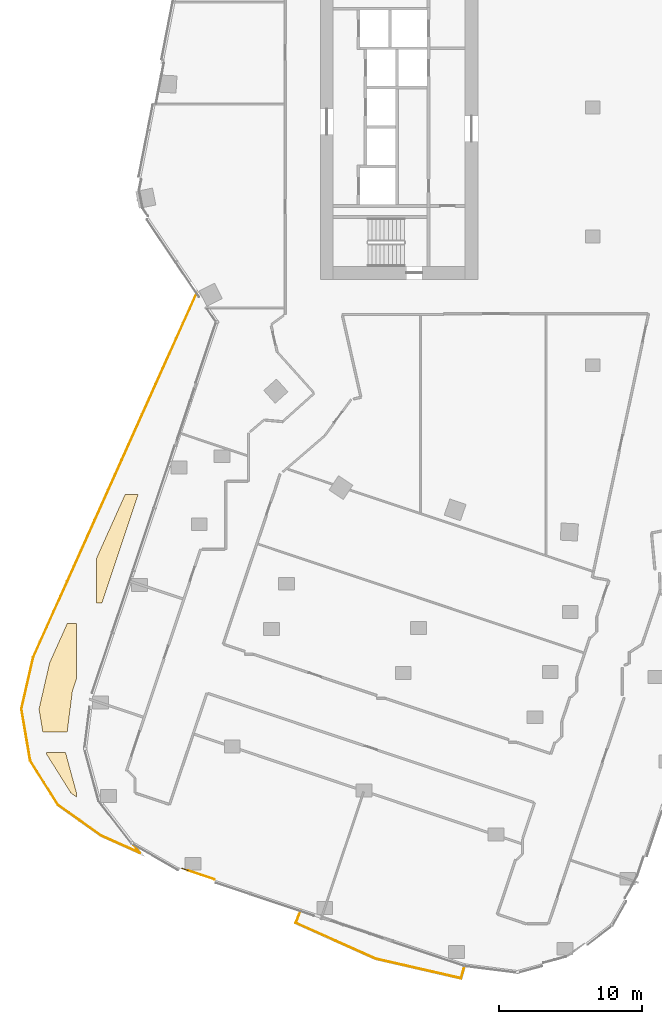
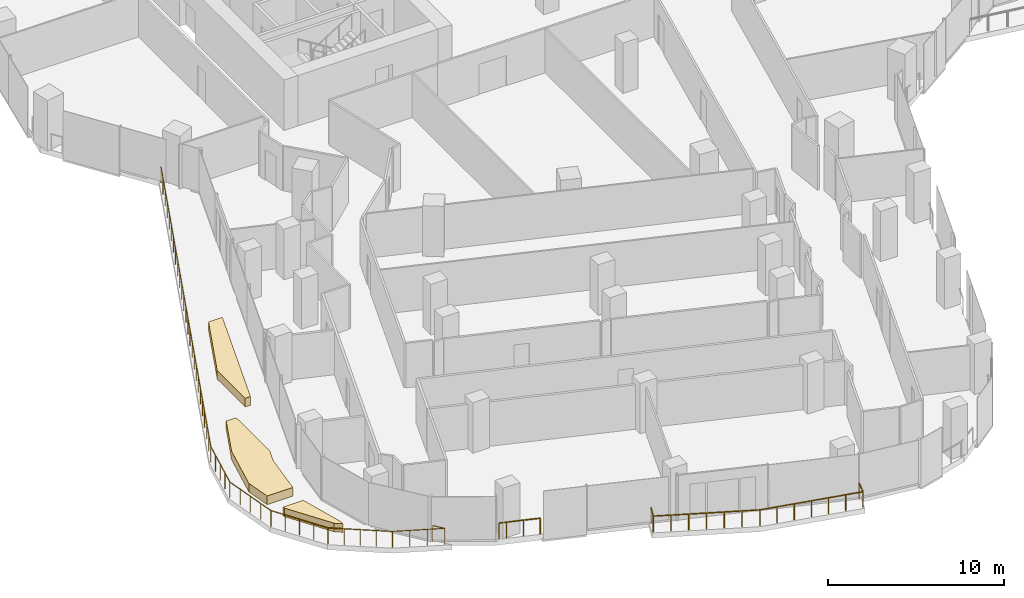
# One storey, part 29 of 34: 4 railings, 3 coverings.
"""IFC4 building model written with IfcOpenShell, lengths in metres."""

from ifc_helpers import new_model, si_unit, direction, frame, origin, origin_2d, place, context, subcontext, project, spatial, polyline, circle, outline, extrude, material, layer, layer_set, type_object, element, save


model = new_model("IFC4")

# Units and contexts
model_context = context("Model", 3, precision=1e-05, world=origin(), true_north=direction((0.0, 1.0)))
body_context = subcontext(model_context, "Body", "Model", "MODEL_VIEW")
ifc_project = project(units=[si_unit("LENGTHUNIT", "METRE"), si_unit("AREAUNIT", "SQUARE_METRE"), si_unit("VOLUMEUNIT", "CUBIC_METRE"), si_unit("PLANEANGLEUNIT", "RADIAN"), si_unit("MASSUNIT", "GRAM", prefix="KILO")], contexts=[model_context])

# Site, building, storey
site_placement = place(None, origin())
site = spatial("IfcSite", under=ifc_project, at=site_placement, CompositionType="ELEMENT")
building_placement = place(site_placement, origin())
building = spatial("IfcBuilding", under=site, at=building_placement, Name="Orlundy Tower", CompositionType="ELEMENT")
storey_placement = place(building_placement, frame((0.0, 0.0, 145.60009765625)))
storey = spatial("IfcBuildingStorey", under=building, at=storey_placement, Name="L37", CompositionType="ELEMENT", Elevation=145.60009765625)

# Coverings
ifc_material_1 = material(Name="Planted soil in precast concrete trough", Category="concrete")
ifc_layer = layer(ifc_material_1, 0.60009765625)
ifc_layer_set = layer_set([ifc_layer], Name="PLANTER box")
covering_type = type_object("IfcCoveringType", Name="PLANTER box", PredefinedType="USERDEFINED", material=ifc_layer_set)
covering_1_placement = place(storey_placement, origin())
element("IfcCovering", 1, at=covering_1_placement, inside=storey, type_object=covering_type, Name="PLANTER L37-20", ObjectType="PLANTER", PredefinedType="USERDEFINED", context=body_context, shape_type="SweptSolid", body=[
    extrude(outline(polyline([(-38.6298828125, -41.993896484375), (-37.887939453125, -38.757080078125), (-36.65087890625, -36.0), (-36.0, -36.0), (-36.0, -39.833984375), (-36.301025390625, -40.73388671875), (-36.666015625, -43.60009765625), (-38.35888671875, -43.60009765625), (-38.6298828125, -41.993896484375)])), origin(), (0.0, 0.0, 1.0), 0.599853515625),
])
covering_2_placement = place(storey_placement, origin())
element("IfcCovering", 2, at=covering_2_placement, inside=storey, type_object=covering_type, Name="PLANTER L37-21", ObjectType="PLANTER", PredefinedType="USERDEFINED", context=body_context, shape_type="SweptSolid", body=[
    extrude(outline(polyline([(-38.1220703125, -45.0), (-36.784912109375, -45.0), (-36.0, -47.881103515625), (-36.0, -48.12890625), (-36.405029296875, -47.841064453125), (-38.09912109375, -45.138916015625), (-38.1220703125, -45.0)])), origin(), (0.0, 0.0, 1.0), 0.599853515625),
])
covering_3_placement = place(storey_placement, origin())
element("IfcCovering", 3, at=covering_3_placement, inside=storey, type_object=covering_type, Name="PLANTER L37-22", ObjectType="PLANTER", PredefinedType="USERDEFINED", context=body_context, shape_type="SweptSolid", body=[
    extrude(outline(polyline([(-32.612060546875, -27.0), (-31.7060546875, -27.0), (-34.2490234375, -34.60009765625), (-34.60009765625, -34.60009765625), (-34.60009765625, -31.429931640625), (-32.612060546875, -27.0)])), origin(), (0.0, 0.0, 1.0), 0.599853515625),
])

# Railings
ifc_material_2 = material(Name="Stainless steel bronze finish", Category="steel")
railing_type = type_object("IfcRailingType", Name="TG1 terrace guard", PredefinedType="GUARDRAIL", material=ifc_material_2)
railing_1_placement = place(storey_placement, frame((-26.376220703125, -53.875244140625, 0.0)))
element("IfcRailing", 4, at=railing_1_placement, inside=storey, type_object=railing_type, Name="Guard TG-L37-E020", PredefinedType="GUARDRAIL", context=body_context, shape_type="SweptSolid", body=[
    extrude(circle(Radius=0.02490234375, at=origin_2d()), frame((0.0, 0.0, 1.09521484375), z_axis=(-0.94831865574, 0.317319597844, 0.0), x_axis=(-0.317319597844, -0.94831865574, 0.0)), (0.0, 0.0, 1.0), 1.945068359375),
    extrude(circle(Radius=0.02001953125, at=origin_2d()), origin(), (0.0, 0.0, 1.0), 1.070068359375),
    extrude(circle(Radius=0.02001953125, at=origin_2d()), frame((-0.92236328125, 0.30859375, 0.0)), (0.0, 0.0, 1.0), 1.070068359375),
    extrude(circle(Radius=0.02001953125, at=origin_2d()), frame((-1.844482421875, 0.6171875, 0.0)), (0.0, 0.0, 1.0), 1.070068359375),
])
railing_2_placement = place(storey_placement, frame((-28.220703125, -53.258056640625, 0.0)))
element("IfcRailing", 5, at=railing_2_placement, inside=storey, type_object=railing_type, Name="Guard TG-L37-E029", PredefinedType="GUARDRAIL", context=body_context, shape_type="SweptSolid", body=[
    extrude(circle(Radius=0.02490234375, at=origin_2d()), frame((0.0, 0.0, 1.09521484375), z_axis=(-0.948178638054, 0.317737738298, 0.0), x_axis=(-0.317737738298, -0.948178638054, 0.0)), (0.0, 0.0, 1.0), 0.4365234375),
    extrude(circle(Radius=0.02001953125, at=origin_2d()), origin(), (0.0, 0.0, 1.0), 1.070068359375),
    extrude(circle(Radius=0.02001953125, at=origin_2d()), frame((-0.413818359375, 0.138671875, 0.0)), (0.0, 0.0, 1.0), 1.070068359375),
])
railing_3_placement = place(storey_placement, frame((-8.942138671875, -59.916015625, 0.0)))
element("IfcRailing", 6, at=railing_3_placement, inside=storey, type_object=railing_type, Name="Guard TG-L37-10", PredefinedType="GUARDRAIL", context=body_context, shape_type="SweptSolid", body=[
    extrude(circle(Radius=0.02490234375, at=origin_2d()), frame((0.0, 0.0, 1.09521484375), z_axis=(-0.27098409454, -0.962583825184, 0.0), x_axis=(0.962583825184, -0.27098409454, 0.0)), (0.0, 0.0, 1.0), 0.88916015625),
    extrude(circle(Radius=0.02490234375, at=origin_2d()), frame((-0.240966796875, -0.85595703125, 1.09521484375), z_axis=(-0.974650390991, 0.223733357687, 0.0), x_axis=(-0.223733357687, -0.974650390991, 0.0)), (0.0, 0.0, 1.0), 6.128173828125),
    extrude(circle(Radius=0.02490234375, at=origin_2d()), frame((-6.2138671875, 0.51513671875, 1.09521484375), z_axis=(-0.912345070245, 0.409422120554, 0.0), x_axis=(-0.409422120554, -0.912345070245, 0.0)), (0.0, 0.0, 1.0), 6.08642578125),
    extrude(circle(Radius=0.02490234375, at=origin_2d()), frame((-11.766845703125, 3.007080078125, 1.09521484375), z_axis=(0.363624739632, 0.931545516187, 0.0), x_axis=(-0.931545516187, 0.363624739632, 0.0)), (0.0, 0.0, 1.0), 0.879638671875),
    extrude(circle(Radius=0.02001953125, at=origin_2d()), origin(), (0.0, 0.0, 1.0), 1.070068359375),
    extrude(circle(Radius=0.02001953125, at=origin_2d()), frame((-0.240966796875, -0.85595703125, 0.0)), (0.0, 0.0, 1.0), 1.070068359375),
    extrude(circle(Radius=0.02001953125, at=origin_2d()), frame((-1.236328125, -0.62744140625, 0.0)), (0.0, 0.0, 1.0), 1.070068359375),
    extrude(circle(Radius=0.02001953125, at=origin_2d()), frame((-2.23193359375, -0.39892578125, 0.0)), (0.0, 0.0, 1.0), 1.070068359375),
    extrude(circle(Radius=0.02001953125, at=origin_2d()), frame((-3.2275390625, -0.17041015625, 0.0)), (0.0, 0.0, 1.0), 1.070068359375),
    extrude(circle(Radius=0.02001953125, at=origin_2d()), frame((-4.222900390625, 0.05810546875, 0.0)), (0.0, 0.0, 1.0), 1.070068359375),
    extrude(circle(Radius=0.02001953125, at=origin_2d()), frame((-5.21826171875, 0.28662109375, 0.0)), (0.0, 0.0, 1.0), 1.070068359375),
    extrude(circle(Radius=0.02001953125, at=origin_2d()), frame((-6.2138671875, 0.51513671875, 0.0)), (0.0, 0.0, 1.0), 1.070068359375),
    extrude(circle(Radius=0.02001953125, at=origin_2d()), frame((-7.139404296875, 0.930419921875, 0.0)), (0.0, 0.0, 1.0), 1.070068359375),
    extrude(circle(Radius=0.02001953125, at=origin_2d()), frame((-8.06494140625, 1.345703125, 0.0)), (0.0, 0.0, 1.0), 1.070068359375),
    extrude(circle(Radius=0.02001953125, at=origin_2d()), frame((-8.990234375, 1.76123046875, 0.0)), (0.0, 0.0, 1.0), 1.070068359375),
    extrude(circle(Radius=0.02001953125, at=origin_2d()), frame((-9.915771484375, 2.176513671875, 0.0)), (0.0, 0.0, 1.0), 1.070068359375),
    extrude(circle(Radius=0.02001953125, at=origin_2d()), frame((-10.84130859375, 2.591796875, 0.0)), (0.0, 0.0, 1.0), 1.070068359375),
    extrude(circle(Radius=0.02001953125, at=origin_2d()), frame((-11.766845703125, 3.007080078125, 0.0)), (0.0, 0.0, 1.0), 1.070068359375),
    extrude(circle(Radius=0.02001953125, at=origin_2d()), frame((-11.447021484375, 3.826416015625, 0.0)), (0.0, 0.0, 1.0), 1.070068359375),
])
railing_4_placement = place(storey_placement, frame((-32.02490234375, -51.455322265625, 0.0)))
element("IfcRailing", 7, at=railing_4_placement, inside=storey, type_object=railing_type, Name="Guard TG-L37-20", PredefinedType="GUARDRAIL", context=body_context, shape_type="SweptSolid", body=[
    extrude(circle(Radius=0.02490234375, at=origin_2d()), frame((0.0, 0.0, 1.09521484375), z_axis=(0.612078330471, -0.790797140465, 0.0), x_axis=(0.790797140465, 0.612078330471, 0.0)), (0.0, 0.0, 1.0), 0.726806640625),
    extrude(circle(Radius=0.02490234375, at=origin_2d()), frame((0.44482421875, -0.57470703125, 1.09521484375), z_axis=(-0.912559959705, 0.408942929935, 0.0), x_axis=(-0.408942929935, -0.912559959705, 0.0)), (0.0, 0.0, 1.0), 2.978515625),
    extrude(circle(Radius=0.02490234375, at=origin_2d()), frame((-2.273193359375, 0.643310546875, 1.09521484375), z_axis=(-0.814951840595, 0.579528685667, 0.0), x_axis=(-0.579528685667, -0.814951840595, 0.0)), (0.0, 0.0, 1.0), 3.67724609375),
    extrude(circle(Radius=0.02490234375, at=origin_2d()), frame((-5.27001953125, 2.7744140625, 1.09521484375), z_axis=(-0.531207236057, 0.8472419208, 0.0), x_axis=(-0.8472419208, -0.531207236057, 0.0)), (0.0, 0.0, 1.0), 3.667236328125),
    extrude(circle(Radius=0.02490234375, at=origin_2d()), frame((-7.218017578125, 5.88134765625, 1.09521484375), z_axis=(-0.166374356392, 0.986062662073, 0.0), x_axis=(-0.986062662073, -0.166374356392, 0.0)), (0.0, 0.0, 1.0), 3.6669921875),
    extrude(circle(Radius=0.02490234375, at=origin_2d()), frame((-7.828125, 9.497314453125, 1.09521484375), z_axis=(0.223554887513, 0.974691342051, 0.0), x_axis=(-0.974691342051, 0.223554887513, 0.0)), (0.0, 0.0, 1.0), 3.677001953125),
    extrude(circle(Radius=0.02490234375, at=origin_2d()), frame((-7.006103515625, 13.081298828125, 1.09521484375), z_axis=(0.409410348805, 0.91235035282, 0.0), x_axis=(-0.91235035282, 0.409410348805, 0.0)), (0.0, 0.0, 1.0), 27.843994140625),
    extrude(circle(Radius=0.02001953125, at=origin_2d()), origin(), (0.0, 0.0, 1.0), 1.070068359375),
    extrude(circle(Radius=0.02001953125, at=origin_2d()), frame((0.44482421875, -0.57470703125, 0.0)), (0.0, 0.0, 1.0), 1.070068359375),
    extrude(circle(Radius=0.02001953125, at=origin_2d()), frame((-0.461181640625, -0.168701171875, 0.0)), (0.0, 0.0, 1.0), 1.070068359375),
    extrude(circle(Radius=0.02001953125, at=origin_2d()), frame((-1.3671875, 0.2373046875, 0.0)), (0.0, 0.0, 1.0), 1.070068359375),
    extrude(circle(Radius=0.02001953125, at=origin_2d()), frame((-2.273193359375, 0.643310546875, 0.0)), (0.0, 0.0, 1.0), 1.070068359375),
    extrude(circle(Radius=0.02001953125, at=origin_2d()), frame((-3.0224609375, 1.176025390625, 0.0)), (0.0, 0.0, 1.0), 1.070068359375),
    extrude(circle(Radius=0.02001953125, at=origin_2d()), frame((-3.771484375, 1.708984375, 0.0)), (0.0, 0.0, 1.0), 1.070068359375),
    extrude(circle(Radius=0.02001953125, at=origin_2d()), frame((-4.520751953125, 2.24169921875, 0.0)), (0.0, 0.0, 1.0), 1.070068359375),
    extrude(circle(Radius=0.02001953125, at=origin_2d()), frame((-5.27001953125, 2.7744140625, 0.0)), (0.0, 0.0, 1.0), 1.070068359375),
    extrude(circle(Radius=0.02001953125, at=origin_2d()), frame((-5.757080078125, 3.55126953125, 0.0)), (0.0, 0.0, 1.0), 1.070068359375),
    extrude(circle(Radius=0.02001953125, at=origin_2d()), frame((-6.244140625, 4.327880859375, 0.0)), (0.0, 0.0, 1.0), 1.070068359375),
    extrude(circle(Radius=0.02001953125, at=origin_2d()), frame((-6.73095703125, 5.1044921875, 0.0)), (0.0, 0.0, 1.0), 1.070068359375),
    extrude(circle(Radius=0.02001953125, at=origin_2d()), frame((-7.218017578125, 5.88134765625, 0.0)), (0.0, 0.0, 1.0), 1.070068359375),
    extrude(circle(Radius=0.02001953125, at=origin_2d()), frame((-7.37060546875, 6.785400390625, 0.0)), (0.0, 0.0, 1.0), 1.070068359375),
    extrude(circle(Radius=0.02001953125, at=origin_2d()), frame((-7.52294921875, 7.689453125, 0.0)), (0.0, 0.0, 1.0), 1.070068359375),
    extrude(circle(Radius=0.02001953125, at=origin_2d()), frame((-7.675537109375, 8.59326171875, 0.0)), (0.0, 0.0, 1.0), 1.070068359375),
    extrude(circle(Radius=0.02001953125, at=origin_2d()), frame((-7.828125, 9.497314453125, 0.0)), (0.0, 0.0, 1.0), 1.070068359375),
    extrude(circle(Radius=0.02001953125, at=origin_2d()), frame((-7.62255859375, 10.393310546875, 0.0)), (0.0, 0.0, 1.0), 1.070068359375),
    extrude(circle(Radius=0.02001953125, at=origin_2d()), frame((-7.4169921875, 11.289306640625, 0.0)), (0.0, 0.0, 1.0), 1.070068359375),
    extrude(circle(Radius=0.02001953125, at=origin_2d()), frame((-7.211669921875, 12.185302734375, 0.0)), (0.0, 0.0, 1.0), 1.070068359375),
    extrude(circle(Radius=0.02001953125, at=origin_2d()), frame((-7.006103515625, 13.081298828125, 0.0)), (0.0, 0.0, 1.0), 1.070068359375),
    extrude(circle(Radius=0.02001953125, at=origin_2d()), frame((-6.531005859375, 14.139892578125, 0.0)), (0.0, 0.0, 1.0), 1.070068359375),
    extrude(circle(Radius=0.02001953125, at=origin_2d()), frame((-6.05615234375, 15.1982421875, 0.0)), (0.0, 0.0, 1.0), 1.070068359375),
    extrude(circle(Radius=0.02001953125, at=origin_2d()), frame((-5.5810546875, 16.2568359375, 0.0)), (0.0, 0.0, 1.0), 1.070068359375),
    extrude(circle(Radius=0.02001953125, at=origin_2d()), frame((-5.106201171875, 17.315185546875, 0.0)), (0.0, 0.0, 1.0), 1.070068359375),
    extrude(circle(Radius=0.02001953125, at=origin_2d()), frame((-4.631103515625, 18.373779296875, 0.0)), (0.0, 0.0, 1.0), 1.070068359375),
    extrude(circle(Radius=0.02001953125, at=origin_2d()), frame((-4.15625, 19.43212890625, 0.0)), (0.0, 0.0, 1.0), 1.070068359375),
    extrude(circle(Radius=0.02001953125, at=origin_2d()), frame((-3.68115234375, 20.49072265625, 0.0)), (0.0, 0.0, 1.0), 1.070068359375),
    extrude(circle(Radius=0.02001953125, at=origin_2d()), frame((-3.206298828125, 21.549072265625, 0.0)), (0.0, 0.0, 1.0), 1.070068359375),
    extrude(circle(Radius=0.02001953125, at=origin_2d()), frame((-2.731201171875, 22.607666015625, 0.0)), (0.0, 0.0, 1.0), 1.070068359375),
    extrude(circle(Radius=0.02001953125, at=origin_2d()), frame((-2.25634765625, 23.666015625, 0.0)), (0.0, 0.0, 1.0), 1.070068359375),
    extrude(circle(Radius=0.02001953125, at=origin_2d()), frame((-1.78125, 24.724609375, 0.0)), (0.0, 0.0, 1.0), 1.070068359375),
    extrude(circle(Radius=0.02001953125, at=origin_2d()), frame((-1.30615234375, 25.783203125, 0.0)), (0.0, 0.0, 1.0), 1.070068359375),
    extrude(circle(Radius=0.02001953125, at=origin_2d()), frame((-0.831298828125, 26.841552734375, 0.0)), (0.0, 0.0, 1.0), 1.070068359375),
    extrude(circle(Radius=0.02001953125, at=origin_2d()), frame((-0.356201171875, 27.900146484375, 0.0)), (0.0, 0.0, 1.0), 1.070068359375),
    extrude(circle(Radius=0.02001953125, at=origin_2d()), frame((0.11865234375, 28.95849609375, 0.0)), (0.0, 0.0, 1.0), 1.070068359375),
    extrude(circle(Radius=0.02001953125, at=origin_2d()), frame((0.59375, 30.01708984375, 0.0)), (0.0, 0.0, 1.0), 1.070068359375),
    extrude(circle(Radius=0.02001953125, at=origin_2d()), frame((1.068603515625, 31.075439453125, 0.0)), (0.0, 0.0, 1.0), 1.070068359375),
    extrude(circle(Radius=0.02001953125, at=origin_2d()), frame((1.543701171875, 32.134033203125, 0.0)), (0.0, 0.0, 1.0), 1.070068359375),
    extrude(circle(Radius=0.02001953125, at=origin_2d()), frame((2.0185546875, 33.1923828125, 0.0)), (0.0, 0.0, 1.0), 1.070068359375),
    extrude(circle(Radius=0.02001953125, at=origin_2d()), frame((2.49365234375, 34.2509765625, 0.0)), (0.0, 0.0, 1.0), 1.070068359375),
    extrude(circle(Radius=0.02001953125, at=origin_2d()), frame((2.968505859375, 35.309326171875, 0.0)), (0.0, 0.0, 1.0), 1.070068359375),
    extrude(circle(Radius=0.02001953125, at=origin_2d()), frame((3.443603515625, 36.367919921875, 0.0)), (0.0, 0.0, 1.0), 1.070068359375),
    extrude(circle(Radius=0.02001953125, at=origin_2d()), frame((3.91845703125, 37.42626953125, 0.0)), (0.0, 0.0, 1.0), 1.070068359375),
    extrude(circle(Radius=0.02001953125, at=origin_2d()), frame((4.3935546875, 38.48486328125, 0.0)), (0.0, 0.0, 1.0), 1.070068359375),
])

save(model, "model.ifc")
